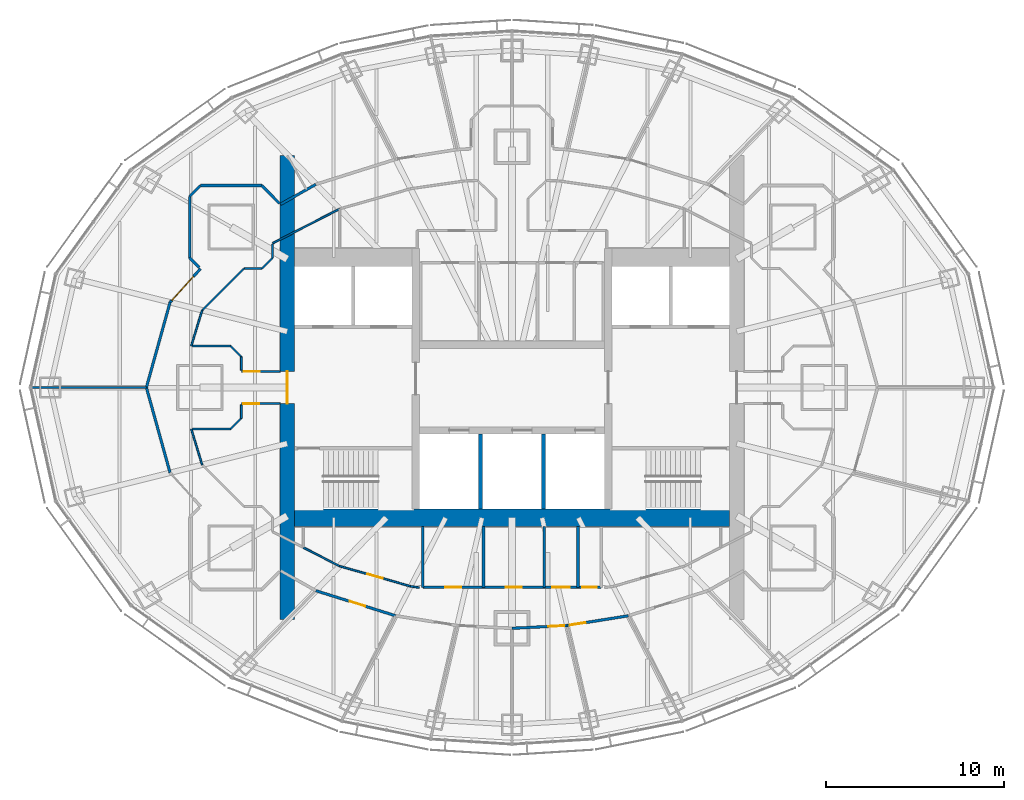
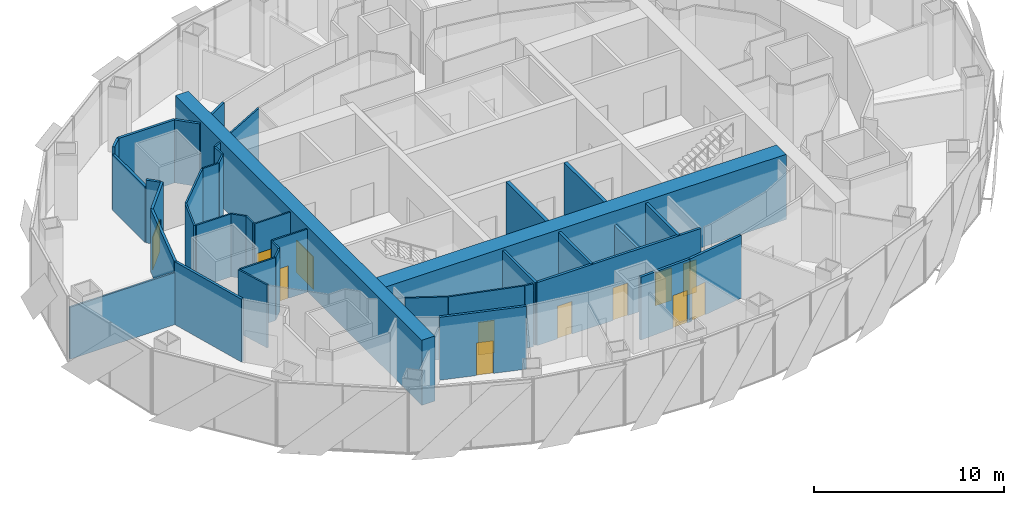
# One storey, part 12 of 18: 40 walls, 12 doors, 12 openings.
"""IFC4 building model written with IfcOpenShell, lengths in metres."""

from ifc_helpers import new_model, si_unit, direction, frame, frame_2d, origin, place, context, subcontext, project, spatial, rectangle, extrude, material, layer, layer_set, type_object, element, fill, save


model = new_model("IFC4")

# Units and contexts
model_context = context("Model", 3, precision=1e-05, world=origin(), true_north=direction((0.0, 1.0)))
body_context = subcontext(model_context, "Body", "Model", "MODEL_VIEW")
ifc_project = project(units=[si_unit("LENGTHUNIT", "METRE"), si_unit("AREAUNIT", "SQUARE_METRE"), si_unit("VOLUMEUNIT", "CUBIC_METRE"), si_unit("PLANEANGLEUNIT", "RADIAN"), si_unit("MASSUNIT", "GRAM", prefix="KILO")], contexts=[model_context])

# Site, building, storey
site_placement = place(None, origin())
site = spatial("IfcSite", under=ifc_project, at=site_placement, CompositionType="ELEMENT")
building_placement = place(site_placement, origin())
building = spatial("IfcBuilding", under=site, at=building_placement, Name="Lantaw Convention Tower", CompositionType="ELEMENT")
storey_placement = place(building_placement, frame((0.0, 0.0, 236.800048828125)))
storey = spatial("IfcBuildingStorey", under=building, at=storey_placement, Name="L55", CompositionType="ELEMENT", Elevation=236.800048828125)

# Wall
ifc_material_1 = material(Name="Concrete C60/75", Category="concrete")
ifc_layer_1 = layer(ifc_material_1, 1.0)
ifc_layer_set_1 = layer_set([ifc_layer_1], Name="Core wall 1000")
wall_type_1 = type_object("IfcWallType", Name="Core wall 1000", PredefinedType="SHEAR", material=ifc_layer_set_1)
wall_1_placement = place(storey_placement, frame((-12.199951171875, -7.300048828125, 0.0), z_axis=(0.0, 0.0, 1.0), x_axis=(1.0, 0.0, 0.0)))
element("IfcWall", 1, at=wall_1_placement, inside=storey, type_object=wall_type_1, Name="Core wall S", PredefinedType="SHEAR", context=body_context, shape_type="SweptSolid", body=[
    extrude(rectangle(XDim=24.39990234375, YDim=1.0, at=frame_2d((12.199951171875, 0.0))), origin(), (0.0, 0.0, 1.0), 4.199951171875),
])

# Wall, opening, door
ifc_layer_2 = layer(ifc_material_1, 0.800048828125)
ifc_layer_set_2 = layer_set([ifc_layer_2], Name="Core wall 800")
wall_type_2 = type_object("IfcWallType", Name="Core wall 800", PredefinedType="SHEAR", material=ifc_layer_set_2)
wall_2_placement = place(storey_placement, frame((-12.60009765625, 13.0, 0.0), z_axis=(0.0, 0.0, 1.0), x_axis=(0.0, -1.0, 0.0)))
wall_2 = element("IfcWall", 2, at=wall_2_placement, inside=storey, type_object=wall_type_2, Name="Core wall W", PredefinedType="SHEAR", context=body_context, shape_type="SweptSolid", body=[
    extrude(rectangle(XDim=26.0, YDim=0.800048828125, at=frame_2d((13.0, 0.0))), origin(), (0.0, 0.0, 1.0), 4.199951171875),
])
opening_1_placement = place(wall_2_placement, frame((12.10009765625, 0.0, 0.0)))
opening_1 = element("IfcOpeningElement", 3, at=opening_1_placement, cuts=wall_2, Name="Opening L55.06", PredefinedType="OPENING", context=body_context, shape_type="SweptSolid", body=[
    extrude(rectangle(XDim=1.800048828125, YDim=2.10009765625, at=frame_2d((0.89990234375, 1.050048828125))), frame((0.0, 0.409912109375, 0.0), z_axis=(0.0, -1.0, 0.0), x_axis=(1.0, 0.0, 0.0)), (0.0, 0.0, 1.0), 0.820068359375),
])
ifc_material_2 = material(Name="Steel, fire rated", Category="steel")
door_type_1 = type_object("IfcDoorType", Name="Lobby double door FD90", OperationType="DOUBLE_DOOR_DOUBLE_SWING", PredefinedType="DOOR", material=ifc_material_2)
door_1_placement = place(opening_1_placement, origin())
door_1 = element("IfcDoor", 4, at=door_1_placement, inside=storey, type_object=door_type_1, Name="Firefighting lobby door", OperationType="DOUBLE_DOOR_DOUBLE_SWING", OverallHeight=2.10009765625, OverallWidth=1.800048828125, PredefinedType="DOOR", context=body_context, shape_type="SweptSolid", body=[
    extrude(rectangle(XDim=1.800048828125, YDim=2.10009765625, at=frame_2d((0.89990234375, 1.050048828125))), frame((0.0, 0.02490234375, 0.0), z_axis=(0.0, -1.0, 0.0), x_axis=(1.0, 0.0, 0.0)), (0.0, 0.0, 1.0), 0.050048828125),
])
fill(opening_1, door_1)

# Walls
ifc_material_3 = material(Name="Gypsum board on steel studs, fire rated", Category="steel")
ifc_layer_3 = layer(ifc_material_3, 0.14990234375)
ifc_layer_set_3 = layer_set([ifc_layer_3], Name="Corridor wall 150 EI 60")
wall_type_3 = type_object("IfcWallType", Name="Corridor wall 150 EI 60", PredefinedType="PARTITIONING", material=ifc_layer_set_3)
for number, where, z_axis, x_axis, name in (
    (5, (-19.171875, 4.780029296875, 0.0), (0.0, 0.0, 1.0), (-0.26770731566, -0.963500281859, 0.0), "Corridor wall 150"),
    (6, (-20.5, 0.0, 0.0), (0.0, 0.0, 1.0), (0.26770731566, -0.963500281859, 0.0), "Corridor wall 150"),
):
    element("IfcWall", number, at=place(storey_placement, frame(where, z_axis=z_axis, x_axis=x_axis)), inside=storey, type_object=wall_type_3, Name=name, PredefinedType="PARTITIONING", context=body_context, shape_type="SweptSolid", body=[
        extrude(rectangle(XDim=4.961181640625, YDim=0.14990234375, at=frame_2d((2.48046875, 0.0))), origin(), (0.0, 0.0, 1.0), 4.050048828125),
    ])

# Wall, opening, door
wall_3_placement = place(storey_placement, frame((-11.000732421875, -11.3916015625, 0.0), z_axis=(0.0, 0.0, 1.0), x_axis=(0.954031103669, -0.299707612903, 0.0)))
wall_3 = element("IfcWall", 7, at=wall_3_placement, inside=storey, type_object=wall_type_3, Name="Corridor wall 150", PredefinedType="PARTITIONING", context=body_context, shape_type="SweptSolid", body=[
    extrude(rectangle(XDim=4.6953125, YDim=0.14990234375, at=frame_2d((2.34765625, 0.0))), origin(), (0.0, 0.0, 1.0), 4.050048828125),
])
opening_2_placement = place(wall_3_placement, frame((2.00048828125, 0.0, 0.0)))
opening_2 = element("IfcOpeningElement", 8, at=opening_2_placement, cuts=wall_3, Name="Opening L55.39", PredefinedType="OPENING", context=body_context, shape_type="SweptSolid", body=[
    extrude(rectangle(XDim=0.89990234375, YDim=2.10009765625, at=frame_2d((0.449951171875, 1.050048828125))), frame((0.0, 0.0849609375, 0.0), z_axis=(0.0, -1.0, 0.0), x_axis=(1.0, 0.0, 0.0)), (0.0, 0.0, 1.0), 0.169921875),
])
door_type_2 = type_object("IfcDoorType", Name="Office door 900 FD30", OperationType="SINGLE_SWING_LEFT", PredefinedType="DOOR", material=ifc_material_2)
door_2_placement = place(opening_2_placement, origin())
door_2 = element("IfcDoor", 9, at=door_2_placement, inside=storey, type_object=door_type_2, Name="Private office door", OperationType="SINGLE_SWING_LEFT", OverallHeight=2.10009765625, OverallWidth=0.89990234375, PredefinedType="DOOR", context=body_context, shape_type="SweptSolid", body=[
    extrude(rectangle(XDim=0.89990234375, YDim=2.10009765625, at=frame_2d((0.449951171875, 1.050048828125))), frame((0.0, 0.02490234375, 0.0), z_axis=(0.0, -1.0, 0.0), x_axis=(1.0, 0.0, 0.0)), (0.0, 0.0, 1.0), 0.050048828125),
])
fill(opening_2, door_2)

wall_4_placement = place(storey_placement, frame((0.0, -13.5, 0.0), z_axis=(0.0, 0.0, 1.0), x_axis=(0.99876434787, 0.049696855278, 0.0)))
wall_4 = element("IfcWall", 10, at=wall_4_placement, inside=storey, type_object=wall_type_3, Name="Corridor wall 150", PredefinedType="PARTITIONING", context=body_context, shape_type="SweptSolid", body=[
    extrude(rectangle(XDim=3.085205078125, YDim=0.14990234375, at=frame_2d((1.54248046875, 0.0))), origin(), (0.0, 0.0, 1.0), 4.050048828125),
])
opening_3_placement = place(wall_4_placement, frame((2.03515625, 0.0, 0.0)))
opening_3 = element("IfcOpeningElement", 11, at=opening_3_placement, cuts=wall_4, Name="Opening L55.42", PredefinedType="OPENING", context=body_context, shape_type="SweptSolid", body=[
    extrude(rectangle(XDim=0.89990234375, YDim=2.10009765625, at=frame_2d((0.449951171875, 1.050048828125))), frame((0.0, 0.0849609375, 0.0), z_axis=(0.0, -1.0, 0.0), x_axis=(1.0, 0.0, 0.0)), (0.0, 0.0, 1.0), 0.169921875),
])
door_3_placement = place(opening_3_placement, origin())
door_3 = element("IfcDoor", 12, at=door_3_placement, inside=storey, type_object=door_type_2, Name="Private office door", OperationType="SINGLE_SWING_LEFT", OverallHeight=2.10009765625, OverallWidth=0.89990234375, PredefinedType="DOOR", context=body_context, shape_type="SweptSolid", body=[
    extrude(rectangle(XDim=0.89990234375, YDim=2.10009765625, at=frame_2d((0.449951171875, 1.050048828125))), frame((0.0, 0.02490234375, 0.0), z_axis=(0.0, -1.0, 0.0), x_axis=(1.0, 0.0, 0.0)), (0.0, 0.0, 1.0), 0.050048828125),
])
fill(opening_3, door_3)

wall_5_placement = place(storey_placement, frame((3.081298828125, -13.3466796875, 0.0), z_axis=(0.0, 0.0, 1.0), x_axis=(0.987554093087, 0.157279729233, 0.0)))
wall_5 = element("IfcWall", 13, at=wall_5_placement, inside=storey, type_object=wall_type_3, Name="Corridor wall 150", PredefinedType="PARTITIONING", context=body_context, shape_type="SweptSolid", body=[
    extrude(rectangle(XDim=3.4833984375, YDim=0.14990234375, at=frame_2d((1.74169921875, 0.0))), origin(), (0.0, 0.0, 1.0), 4.050048828125),
])
opening_4_placement = place(wall_5_placement, frame((0.14990234375, 0.0, 0.0)))
opening_4 = element("IfcOpeningElement", 14, at=opening_4_placement, cuts=wall_5, Name="Opening L55.43", PredefinedType="OPENING", context=body_context, shape_type="SweptSolid", body=[
    extrude(rectangle(XDim=0.89990234375, YDim=2.10009765625, at=frame_2d((0.449951171875, 1.050048828125))), frame((0.0, 0.0849609375, 0.0), z_axis=(0.0, -1.0, 0.0), x_axis=(1.0, 0.0, 0.0)), (0.0, 0.0, 1.0), 0.169921875),
])
door_4_placement = place(opening_4_placement, origin())
door_4 = element("IfcDoor", 15, at=door_4_placement, inside=storey, type_object=door_type_2, Name="Private office door", OperationType="SINGLE_SWING_LEFT", OverallHeight=2.10009765625, OverallWidth=0.89990234375, PredefinedType="DOOR", context=body_context, shape_type="SweptSolid", body=[
    extrude(rectangle(XDim=0.89990234375, YDim=2.10009765625, at=frame_2d((0.449951171875, 1.050048828125))), frame((0.0, 0.02490234375, 0.0), z_axis=(0.0, -1.0, 0.0), x_axis=(1.0, 0.0, 0.0)), (0.0, 0.0, 1.0), 0.050048828125),
])
fill(opening_4, door_4)

# Wall
wall_6_placement = place(storey_placement, frame((-11.000732421875, 11.3916015625, 0.0), z_axis=(0.0, 0.0, 1.0), x_axis=(-0.869722107117, -0.493541747366, 0.0)))
element("IfcWall", 16, at=wall_6_placement, inside=storey, type_object=wall_type_3, Name="Corridor wall 150", PredefinedType="PARTITIONING", context=body_context, shape_type="SweptSolid", body=[
    extrude(rectangle(XDim=2.26953125, YDim=0.14990234375, at=frame_2d((1.134765625, 0.0))), origin(), (0.0, 0.0, 1.0), 4.050048828125),
])

# Wall, opening, door
wall_7_placement = place(storey_placement, frame((-17.462646484375, 6.6650390625, 0.0), z_axis=(0.0, 0.0, 1.0), x_axis=(-0.671721890643, -0.74080341632, 0.0)))
wall_7 = element("IfcWall", 17, at=wall_7_placement, inside=storey, type_object=wall_type_3, Name="Corridor wall 150", PredefinedType="PARTITIONING", context=body_context, shape_type="SweptSolid", body=[
    extrude(rectangle(XDim=2.54443359375, YDim=0.14990234375, at=frame_2d((1.272216796875, 0.0))), origin(), (0.0, 0.0, 1.0), 4.050048828125),
])
opening_5_placement = place(wall_7_placement, frame((0.60009765625, 0.0, 0.0)))
opening_5 = element("IfcOpeningElement", 18, at=opening_5_placement, cuts=wall_7, Name="Opening L55.37", PredefinedType="OPENING", context=body_context, shape_type="SweptSolid", body=[
    extrude(rectangle(XDim=1.800048828125, YDim=2.10009765625, at=frame_2d((0.89990234375, 1.050048828125))), frame((0.0, 0.0849609375, 0.0), z_axis=(0.0, -1.0, 0.0), x_axis=(1.0, 0.0, 0.0)), (0.0, 0.0, 1.0), 0.169921875),
])
door_type_3 = type_object("IfcDoorType", Name="Office double door 1800 FD30", OperationType="DOUBLE_DOOR_DOUBLE_SWING", PredefinedType="DOOR", material=ifc_material_2)
door_5_placement = place(opening_5_placement, origin())
door_5 = element("IfcDoor", 19, at=door_5_placement, inside=storey, type_object=door_type_3, Name="Open office door", OperationType="DOUBLE_DOOR_DOUBLE_SWING", OverallHeight=2.10009765625, OverallWidth=1.800048828125, PredefinedType="DOOR", context=body_context, shape_type="SweptSolid", body=[
    extrude(rectangle(XDim=1.800048828125, YDim=2.10009765625, at=frame_2d((0.89990234375, 1.050048828125))), frame((0.0, 0.02490234375, 0.0), z_axis=(0.0, -1.0, 0.0), x_axis=(1.0, 0.0, 0.0)), (0.0, 0.0, 1.0), 0.050048828125),
])
fill(opening_5, door_5)

# Walls
wall_8_placement = place(storey_placement, frame((-18.074951171875, 10.724609375, 0.0), z_axis=(0.0, 0.0, 1.0), x_axis=(0.707106781187, 0.707106781187, 0.0)))
element("IfcWall", 20, at=wall_8_placement, inside=storey, type_object=wall_type_3, Name="Corridor wall 150", PredefinedType="PARTITIONING", context=body_context, shape_type="SweptSolid", body=[
    extrude(rectangle(XDim=0.84912109375, YDim=0.14990234375, at=frame_2d((0.424560546875, 0.0))), origin(), (0.0, 0.0, 1.0), 4.050048828125),
])
wall_9_placement = place(storey_placement, frame((-17.474609375, 11.324951171875, 0.0), z_axis=(0.0, 0.0, 1.0), x_axis=(1.0, 0.0, 0.0)))
element("IfcWall", 21, at=wall_9_placement, inside=storey, type_object=wall_type_3, Name="Corridor wall 150", PredefinedType="PARTITIONING", context=body_context, shape_type="SweptSolid", body=[
    extrude(rectangle(XDim=3.44921875, YDim=0.14990234375, at=frame_2d((1.724609375, 0.0))), origin(), (0.0, 0.0, 1.0), 4.050048828125),
])
wall_10_placement = place(storey_placement, frame((-14.025390625, 11.324951171875, 0.0), z_axis=(0.0, 0.0, 1.0), x_axis=(0.701113567316, -0.713049623606, 0.0)))
element("IfcWall", 22, at=wall_10_placement, inside=storey, type_object=wall_type_3, Name="Corridor wall 150", PredefinedType="PARTITIONING", context=body_context, shape_type="SweptSolid", body=[
    extrude(rectangle(XDim=1.411376953125, YDim=0.14990234375, at=frame_2d((0.70556640625, 0.0))), origin(), (0.0, 0.0, 1.0), 4.050048828125),
])
wall_11_placement = place(storey_placement, frame((-17.537841796875, 6.73828125, 0.0), z_axis=(0.0, 0.0, 1.0), x_axis=(-0.707106781187, 0.707106781187, 0.0)))
element("IfcWall", 23, at=wall_11_placement, inside=storey, type_object=wall_type_3, Name="Corridor wall 150", PredefinedType="PARTITIONING", context=body_context, shape_type="SweptSolid", body=[
    extrude(rectangle(XDim=0.759521484375, YDim=0.14990234375, at=frame_2d((0.3798828125, 0.0))), origin(), (0.0, 0.0, 1.0), 4.050048828125),
])
wall_12_placement = place(storey_placement, frame((-18.074951171875, 7.275390625, 0.0), z_axis=(0.0, 0.0, 1.0), x_axis=(0.0, 1.0, 0.0)))
element("IfcWall", 24, at=wall_12_placement, inside=storey, type_object=wall_type_3, Name="Corridor wall 150", PredefinedType="PARTITIONING", context=body_context, shape_type="SweptSolid", body=[
    extrude(rectangle(XDim=3.44921875, YDim=0.14990234375, at=frame_2d((1.724609375, 0.0))), origin(), (0.0, 0.0, 1.0), 3.600341796875),
])
ifc_material_4 = material(Name="Gypsum board on steel studs, acoustic", Category="steel")
ifc_layer_4 = layer(ifc_material_4, 0.10009765625)
ifc_layer_set_4 = layer_set([ifc_layer_4], Name="Office partition 100")
wall_type_4 = type_object("IfcWallType", Name="Office partition 100", PredefinedType="PARTITIONING", material=ifc_layer_set_4)
wall_13_placement = place(storey_placement, frame((-26.944091796875, 0.0, 0.0), z_axis=(0.0, 0.0, 1.0), x_axis=(1.0, 0.0, 0.0)))
element("IfcWall", 25, at=wall_13_placement, inside=storey, type_object=wall_type_4, Name="Office partition 100", PredefinedType="PARTITIONING", context=body_context, shape_type="SweptSolid", body=[
    extrude(rectangle(XDim=6.444091796875, YDim=0.10009765625, at=frame_2d((3.22216796875, 0.0))), origin(), (0.0, 0.0, 1.0), 3.348876953125),
])
wall_14_placement = place(storey_placement, frame((-5.199951171875, -11.21630859375, 0.0), z_axis=(0.0, 0.0, 1.0), x_axis=(-0.989797891768, 0.142478536811, 0.0)))
element("IfcWall", 26, at=wall_14_placement, inside=storey, type_object=wall_type_4, Name="Office partition 100", PredefinedType="PARTITIONING", context=body_context, shape_type="SweptSolid", body=[
    extrude(rectangle(XDim=0.48486328125, YDim=0.10009765625, at=frame_2d((0.242431640625, 0.0))), origin(), (0.0, 0.0, 1.0), 4.050048828125),
])

# Wall, opening, door
wall_15_placement = place(storey_placement, frame((-5.679931640625, -11.147216796875, 0.0), z_axis=(0.0, 0.0, 1.0), x_axis=(-0.961973498971, 0.273142796496, 0.0)))
wall_15 = element("IfcWall", 27, at=wall_15_placement, inside=storey, type_object=wall_type_4, Name="Office partition 100", PredefinedType="PARTITIONING", context=body_context, shape_type="SweptSolid", body=[
    extrude(rectangle(XDim=4.148193359375, YDim=0.10009765625, at=frame_2d((2.07421875, 0.0))), origin(), (0.0, 0.0, 1.0), 4.050048828125),
])
opening_6_placement = place(wall_15_placement, frame((1.624267578125, 0.0, 0.0)))
opening_6 = element("IfcOpeningElement", 28, at=opening_6_placement, cuts=wall_15, Name="Opening L55.23", PredefinedType="OPENING", context=body_context, shape_type="SweptSolid", body=[
    extrude(rectangle(XDim=0.89990234375, YDim=2.10009765625, at=frame_2d((0.449951171875, 1.050048828125))), frame((0.0, 0.06005859375, 0.0), z_axis=(0.0, -1.0, 0.0), x_axis=(1.0, 0.0, 0.0)), (0.0, 0.0, 1.0), 0.1201171875),
])
ifc_material_5 = material(Name="Timber", Category="wood")
door_type_4 = type_object("IfcDoorType", Name="Office door 900", OperationType="SINGLE_SWING_LEFT", PredefinedType="DOOR", material=ifc_material_5)
door_6_placement = place(opening_6_placement, origin())
door_6 = element("IfcDoor", 29, at=door_6_placement, inside=storey, type_object=door_type_4, Name="Project room door", OperationType="SINGLE_SWING_LEFT", OverallHeight=2.10009765625, OverallWidth=0.89990234375, PredefinedType="DOOR", context=body_context, shape_type="SweptSolid", body=[
    extrude(rectangle(XDim=0.89990234375, YDim=2.10009765625, at=frame_2d((0.449951171875, 1.050048828125))), frame((0.0, 0.02490234375, 0.0), z_axis=(0.0, -1.0, 0.0), x_axis=(1.0, 0.0, 0.0)), (0.0, 0.0, 1.0), 0.050048828125),
])
fill(opening_6, door_6)

# Walls
wall_16_placement = place(storey_placement, frame((-9.67041015625, -10.01416015625, 0.0), z_axis=(0.0, 0.0, 1.0), x_axis=(-0.889605609385, 0.456729525814, 0.0)))
element("IfcWall", 30, at=wall_16_placement, inside=storey, type_object=wall_type_4, Name="Office partition 100", PredefinedType="PARTITIONING", context=body_context, shape_type="SweptSolid", body=[
    extrude(rectangle(XDim=2.292724609375, YDim=0.10009765625, at=frame_2d((1.146484375, 0.0))), origin(), (0.0, 0.0, 1.0), 4.050048828125),
])
wall_17_placement = place(storey_placement, frame((-17.37158203125, -4.331298828125, 0.0), z_axis=(0.0, 0.0, 1.0), x_axis=(-0.293231279211, 0.956041535129, 0.0)))
element("IfcWall", 31, at=wall_17_placement, inside=storey, type_object=wall_type_4, Name="Office partition 100", PredefinedType="PARTITIONING", context=body_context, shape_type="SweptSolid", body=[
    extrude(rectangle(XDim=2.088134765625, YDim=0.10009765625, at=frame_2d((1.0439453125, 0.0))), origin(), (0.0, 0.0, 1.0), 4.050048828125),
])

# Wall, opening, door
wall_18_placement = place(storey_placement, frame((-15.1650390625, -0.89990234375, 0.0), z_axis=(0.0, 0.0, 1.0), x_axis=(1.0, 0.0, 0.0)))
wall_18 = element("IfcWall", 32, at=wall_18_placement, inside=storey, type_object=wall_type_4, Name="Office partition 100", PredefinedType="PARTITIONING", context=body_context, shape_type="SweptSolid", body=[
    extrude(rectangle(XDim=2.1650390625, YDim=0.10009765625, at=frame_2d((1.08251953125, 0.0))), origin(), (0.0, 0.0, 1.0), 4.050048828125),
])
opening_7_placement = place(wall_18_placement, frame((0.10009765625, 0.0, 0.0)))
opening_7 = element("IfcOpeningElement", 33, at=opening_7_placement, cuts=wall_18, Name="Opening L55.22", PredefinedType="OPENING", context=body_context, shape_type="SweptSolid", body=[
    extrude(rectangle(XDim=0.89990234375, YDim=2.10009765625, at=frame_2d((0.449951171875, 1.050048828125))), frame((0.0, 0.06005859375, 0.0), z_axis=(0.0, -1.0, 0.0), x_axis=(1.0, 0.0, 0.0)), (0.0, 0.0, 1.0), 0.1201171875),
])
door_7_placement = place(opening_7_placement, origin())
door_7 = element("IfcDoor", 34, at=door_7_placement, inside=storey, type_object=door_type_4, Name="Meeting room door", OperationType="SINGLE_SWING_LEFT", OverallHeight=2.10009765625, OverallWidth=0.89990234375, PredefinedType="DOOR", context=body_context, shape_type="SweptSolid", body=[
    extrude(rectangle(XDim=0.89990234375, YDim=2.10009765625, at=frame_2d((0.449951171875, 1.050048828125))), frame((0.0, 0.02490234375, 0.0), z_axis=(0.0, -1.0, 0.0), x_axis=(1.0, 0.0, 0.0)), (0.0, 0.0, 1.0), 0.050048828125),
])
fill(opening_7, door_7)

wall_19_placement = place(storey_placement, frame((-13.0, 0.89990234375, 0.0), z_axis=(0.0, 0.0, 1.0), x_axis=(-1.0, 0.0, 0.0)))
wall_19 = element("IfcWall", 35, at=wall_19_placement, inside=storey, type_object=wall_type_4, Name="Office partition 100", PredefinedType="PARTITIONING", context=body_context, shape_type="SweptSolid", body=[
    extrude(rectangle(XDim=2.1650390625, YDim=0.10009765625, at=frame_2d((1.08251953125, 0.0))), origin(), (0.0, 0.0, 1.0), 4.050048828125),
])
opening_8_placement = place(wall_19_placement, frame((1.14990234375, 0.0, 0.0)))
opening_8 = element("IfcOpeningElement", 36, at=opening_8_placement, cuts=wall_19, Name="Opening L55.28", PredefinedType="OPENING", context=body_context, shape_type="SweptSolid", body=[
    extrude(rectangle(XDim=0.89990234375, YDim=2.10009765625, at=frame_2d((0.449951171875, 1.050048828125))), frame((0.0, 0.06005859375, 0.0), z_axis=(0.0, -1.0, 0.0), x_axis=(1.0, 0.0, 0.0)), (0.0, 0.0, 1.0), 0.1201171875),
])
door_8_placement = place(opening_8_placement, origin())
door_8 = element("IfcDoor", 37, at=door_8_placement, inside=storey, type_object=door_type_4, Name="Meeting room door", OperationType="SINGLE_SWING_LEFT", OverallHeight=2.10009765625, OverallWidth=0.89990234375, PredefinedType="DOOR", context=body_context, shape_type="SweptSolid", body=[
    extrude(rectangle(XDim=0.89990234375, YDim=2.10009765625, at=frame_2d((0.449951171875, 1.050048828125))), frame((0.0, 0.02490234375, 0.0), z_axis=(0.0, -1.0, 0.0), x_axis=(1.0, 0.0, 0.0)), (0.0, 0.0, 1.0), 0.050048828125),
])
fill(opening_8, door_8)

# Walls
wall_20_placement = place(storey_placement, frame((-17.98388671875, 2.3349609375, 0.0), z_axis=(0.0, 0.0, 1.0), x_axis=(0.293231279211, 0.956041535129, 0.0)))
element("IfcWall", 38, at=wall_20_placement, inside=storey, type_object=wall_type_4, Name="Office partition 100", PredefinedType="PARTITIONING", context=body_context, shape_type="SweptSolid", body=[
    extrude(rectangle(XDim=2.088134765625, YDim=0.10009765625, at=frame_2d((1.0439453125, 0.0))), origin(), (0.0, 0.0, 1.0), 4.050048828125),
])
wall_21_placement = place(storey_placement, frame((-15.175048828125, -0.978271484375, 0.0), z_axis=(0.0, 0.0, 1.0), x_axis=(0.0, -1.0, 0.0)))
element("IfcWall", 39, at=wall_21_placement, inside=storey, type_object=wall_type_4, Name="Office partition 100", PredefinedType="PARTITIONING", context=body_context, shape_type="SweptSolid", body=[
    extrude(rectangle(XDim=0.746337890625, YDim=0.10009765625, at=frame_2d((0.373046875, 0.0))), origin(), (0.0, 0.0, 1.0), 4.050048828125),
])
wall_22_placement = place(storey_placement, frame((-15.175048828125, -1.724609375, 0.0), z_axis=(0.0, 0.0, 1.0), x_axis=(-0.707106781187, -0.707106781187, 0.0)))
element("IfcWall", 40, at=wall_22_placement, inside=storey, type_object=wall_type_4, Name="Office partition 100", PredefinedType="PARTITIONING", context=body_context, shape_type="SweptSolid", body=[
    extrude(rectangle(XDim=0.84912109375, YDim=0.10009765625, at=frame_2d((0.424560546875, 0.0))), origin(), (0.0, 0.0, 1.0), 4.050048828125),
])
for number, where, z_axis, x_axis, name in (
    (41, (-15.775390625, -2.324951171875, 0.0), (0.0, 0.0, 1.0), (-1.0, 0.0, 0.0), "Office partition 100"),
    (42, (-17.903076171875, 2.324951171875, 0.0), (0.0, 0.0, 1.0), (1.0, 0.0, 0.0), "Office partition 100"),
):
    element("IfcWall", number, at=place(storey_placement, frame(where, z_axis=z_axis, x_axis=x_axis)), inside=storey, type_object=wall_type_4, Name=name, PredefinedType="PARTITIONING", context=body_context, shape_type="SweptSolid", body=[
        extrude(rectangle(XDim=2.127685546875, YDim=0.10009765625, at=frame_2d((1.06396484375, 0.0))), origin(), (0.0, 0.0, 1.0), 4.050048828125),
    ])
wall_23_placement = place(storey_placement, frame((-15.775390625, 2.324951171875, 0.0), z_axis=(0.0, 0.0, 1.0), x_axis=(0.707106781187, -0.707106781187, 0.0)))
element("IfcWall", 43, at=wall_23_placement, inside=storey, type_object=wall_type_4, Name="Office partition 100", PredefinedType="PARTITIONING", context=body_context, shape_type="SweptSolid", body=[
    extrude(rectangle(XDim=0.84912109375, YDim=0.10009765625, at=frame_2d((0.424560546875, 0.0))), origin(), (0.0, 0.0, 1.0), 4.050048828125),
])
wall_24_placement = place(storey_placement, frame((-15.175048828125, 1.724609375, 0.0), z_axis=(0.0, 0.0, 1.0), x_axis=(0.0, -1.0, 0.0)))
element("IfcWall", 44, at=wall_24_placement, inside=storey, type_object=wall_type_4, Name="Office partition 100", PredefinedType="PARTITIONING", context=body_context, shape_type="SweptSolid", body=[
    extrude(rectangle(XDim=0.746337890625, YDim=0.10009765625, at=frame_2d((0.373046875, 0.0))), origin(), (0.0, 0.0, 1.0), 4.050048828125),
])
wall_25_placement = place(storey_placement, frame((-17.37158203125, 4.331298828125, 0.0), z_axis=(0.0, 0.0, 1.0), x_axis=(0.707587114823, 0.70662612104, 0.0)))
element("IfcWall", 45, at=wall_25_placement, inside=storey, type_object=wall_type_4, Name="Office partition 100", PredefinedType="PARTITIONING", context=body_context, shape_type="SweptSolid", body=[
    extrude(rectangle(XDim=3.302734375, YDim=0.10009765625, at=frame_2d((1.6513671875, 0.0))), origin(), (0.0, 0.0, 1.0), 4.050048828125),
])
wall_26_placement = place(storey_placement, frame((-13.4150390625, 8.091552734375, 0.0), z_axis=(0.0, 0.0, 1.0), x_axis=(0.889833724874, 0.456284935185, 0.0)))
element("IfcWall", 46, at=wall_26_placement, inside=storey, type_object=wall_type_4, Name="Office partition 100", PredefinedType="PARTITIONING", context=body_context, shape_type="SweptSolid", body=[
    extrude(rectangle(XDim=4.219970703125, YDim=0.10009765625, at=frame_2d((2.10986328125, 0.0))), origin(), (0.0, 0.0, 1.0), 4.050048828125),
])
wall_27_placement = place(storey_placement, frame((-13.425048828125, 8.04541015625, 0.0), z_axis=(0.0, 0.0, 1.0), x_axis=(0.0, -1.0, 0.0)))
element("IfcWall", 47, at=wall_27_placement, inside=storey, type_object=wall_type_4, Name="Office partition 100", PredefinedType="PARTITIONING", context=body_context, shape_type="SweptSolid", body=[
    extrude(rectangle(XDim=0.77001953125, YDim=0.10009765625, at=frame_2d((0.385009765625, 0.0))), origin(), (0.0, 0.0, 1.0), 4.050048828125),
])
wall_28_placement = place(storey_placement, frame((-13.425048828125, 7.275390625, 0.0), z_axis=(0.0, 0.0, 1.0), x_axis=(-0.707106781187, -0.707106781187, 0.0)))
element("IfcWall", 48, at=wall_28_placement, inside=storey, type_object=wall_type_4, Name="Office partition 100", PredefinedType="PARTITIONING", context=body_context, shape_type="SweptSolid", body=[
    extrude(rectangle(XDim=0.84912109375, YDim=0.10009765625, at=frame_2d((0.424560546875, 0.0))), origin(), (0.0, 0.0, 1.0), 4.050048828125),
])
wall_29_placement = place(storey_placement, frame((-14.025390625, 6.675048828125, 0.0), z_axis=(0.0, 0.0, 1.0), x_axis=(-1.0, 0.0, 0.0)))
element("IfcWall", 49, at=wall_29_placement, inside=storey, type_object=wall_type_4, Name="Office partition 100", PredefinedType="PARTITIONING", context=body_context, shape_type="SweptSolid", body=[
    extrude(rectangle(XDim=0.976806640625, YDim=0.10009765625, at=frame_2d((0.48828125, 0.0))), origin(), (0.0, 0.0, 1.0), 4.050048828125),
])
ifc_material_6 = material(Name="Concrete blockwork, fire rated", Category="masonry")
ifc_layer_5 = layer(ifc_material_6, 0.199951171875)
ifc_layer_set_5 = layer_set([ifc_layer_5], Name="Shaft wall 200 load-bearing")
wall_type_5 = type_object("IfcWallType", Name="Shaft wall 200 load-bearing", PredefinedType="SOLIDWALL", material=ifc_layer_set_5)
for number, where, z_axis, x_axis, name in (
    (50, (-1.7666015625, -2.60009765625, 0.0), (0.0, 0.0, 1.0), (0.0, -1.0, 0.0), "Shaft wall DS1"),
    (51, (1.7666015625, -2.60009765625, 0.0), (0.0, 0.0, 1.0), (0.0, -1.0, 0.0), "Shaft wall DS2"),
):
    element("IfcWall", number, at=place(storey_placement, frame(where, z_axis=z_axis, x_axis=x_axis)), inside=storey, type_object=wall_type_5, Name=name, PredefinedType="SOLIDWALL", context=body_context, shape_type="SweptSolid", body=[
        extrude(rectangle(XDim=4.199951171875, YDim=0.199951171875, at=frame_2d((2.10009765625, 0.0))), origin(), (0.0, 0.0, 1.0), 4.199951171875),
    ])

# Wall, openings, doors
ifc_material_7 = material(Name="Concrete blockwork", Category="masonry")
ifc_layer_6 = layer(ifc_material_7, 0.14990234375)
ifc_layer_set_6 = layer_set([ifc_layer_6], Name="WC wall 150")
wall_type_6 = type_object("IfcWallType", Name="WC wall 150", PredefinedType="SOLIDWALL", material=ifc_layer_set_6)
wall_30_placement = place(storey_placement, frame((-5.0, -11.199951171875, 0.0), z_axis=(0.0, 0.0, 1.0), x_axis=(1.0, 0.0, 0.0)))
wall_30 = element("IfcWall", 52, at=wall_30_placement, inside=storey, type_object=wall_type_6, Name="WC wall 150", PredefinedType="SOLIDWALL", context=body_context, shape_type="SweptSolid", body=[
    extrude(rectangle(XDim=10.0, YDim=0.14990234375, at=frame_2d((5.0, 0.0))), origin(), (0.0, 0.0, 1.0), 4.050048828125),
])
opening_9_placement = place(wall_30_placement, frame((1.25, 0.0, 0.0)))
opening_9 = element("IfcOpeningElement", 53, at=opening_9_placement, cuts=wall_30, Name="Opening L55.18", PredefinedType="OPENING", context=body_context, shape_type="SweptSolid", body=[
    extrude(rectangle(XDim=0.89990234375, YDim=2.10009765625, at=frame_2d((0.449951171875, 1.050048828125))), frame((0.0, 0.0849609375, 0.0), z_axis=(0.0, -1.0, 0.0), x_axis=(1.0, 0.0, 0.0)), (0.0, 0.0, 1.0), 0.169921875),
])
opening_10_placement = place(wall_30_placement, frame((4.64990234375, 0.0, 0.0)))
opening_10 = element("IfcOpeningElement", 54, at=opening_10_placement, cuts=wall_30, Name="Opening L55.19", PredefinedType="OPENING", context=body_context, shape_type="SweptSolid", body=[
    extrude(rectangle(XDim=0.89990234375, YDim=2.10009765625, at=frame_2d((0.449951171875, 1.050048828125))), frame((0.0, 0.0849609375, 0.0), z_axis=(0.0, -1.0, 0.0), x_axis=(1.0, 0.0, 0.0)), (0.0, 0.0, 1.0), 0.169921875),
])
opening_11_placement = place(wall_30_placement, frame((7.25, 0.0, 0.0)))
opening_11 = element("IfcOpeningElement", 55, at=opening_11_placement, cuts=wall_30, Name="Opening L55.20", PredefinedType="OPENING", context=body_context, shape_type="SweptSolid", body=[
    extrude(rectangle(XDim=1.0, YDim=2.10009765625, at=frame_2d((0.5, 1.050048828125))), frame((0.0, 0.0849609375, 0.0), z_axis=(0.0, -1.0, 0.0), x_axis=(1.0, 0.0, 0.0)), (0.0, 0.0, 1.0), 0.169921875),
])
opening_12_placement = place(wall_30_placement, frame((8.949951171875, 0.0, 0.0)))
opening_12 = element("IfcOpeningElement", 56, at=opening_12_placement, cuts=wall_30, Name="Opening L55.21", PredefinedType="OPENING", context=body_context, shape_type="SweptSolid", body=[
    extrude(rectangle(XDim=0.800048828125, YDim=2.10009765625, at=frame_2d((0.39990234375, 1.050048828125))), frame((0.0, 0.0849609375, 0.0), z_axis=(0.0, -1.0, 0.0), x_axis=(1.0, 0.0, 0.0)), (0.0, 0.0, 1.0), 0.169921875),
])
door_type_5 = type_object("IfcDoorType", Name="Accessible WC door 1000", OperationType="SINGLE_SWING_LEFT", PredefinedType="DOOR", material=ifc_material_5)
door_9_placement = place(opening_11_placement, origin())
door_9 = element("IfcDoor", 57, at=door_9_placement, inside=storey, type_object=door_type_5, Name="Accessible WC door", OperationType="SINGLE_SWING_LEFT", OverallHeight=2.10009765625, OverallWidth=1.0, PredefinedType="DOOR", context=body_context, shape_type="SweptSolid", body=[
    extrude(rectangle(XDim=1.0, YDim=2.10009765625, at=frame_2d((0.5, 1.050048828125))), frame((0.0, 0.02490234375, 0.0), z_axis=(0.0, -1.0, 0.0), x_axis=(1.0, 0.0, 0.0)), (0.0, 0.0, 1.0), 0.050048828125),
])
fill(opening_11, door_9)
door_type_6 = type_object("IfcDoorType", Name="WC door 800", OperationType="SINGLE_SWING_LEFT", PredefinedType="DOOR", material=ifc_material_5)
door_10_placement = place(opening_12_placement, origin())
door_10 = element("IfcDoor", 58, at=door_10_placement, inside=storey, type_object=door_type_6, Name="Pantry door", OperationType="SINGLE_SWING_LEFT", OverallHeight=2.10009765625, OverallWidth=0.800048828125, PredefinedType="DOOR", context=body_context, shape_type="SweptSolid", body=[
    extrude(rectangle(XDim=0.800048828125, YDim=2.10009765625, at=frame_2d((0.39990234375, 1.050048828125))), frame((0.0, 0.02490234375, 0.0), z_axis=(0.0, -1.0, 0.0), x_axis=(1.0, 0.0, 0.0)), (0.0, 0.0, 1.0), 0.050048828125),
])
fill(opening_12, door_10)
door_type_7 = type_object("IfcDoorType", Name="WC door 900", OperationType="SINGLE_SWING_LEFT", PredefinedType="DOOR", material=ifc_material_5)
door_11_placement = place(opening_9_placement, origin())
door_11 = element("IfcDoor", 59, at=door_11_placement, inside=storey, type_object=door_type_7, Name="Female WC door", OperationType="SINGLE_SWING_LEFT", OverallHeight=2.10009765625, OverallWidth=0.89990234375, PredefinedType="DOOR", context=body_context, shape_type="SweptSolid", body=[
    extrude(rectangle(XDim=0.89990234375, YDim=2.10009765625, at=frame_2d((0.449951171875, 1.050048828125))), frame((0.0, 0.02490234375, 0.0), z_axis=(0.0, -1.0, 0.0), x_axis=(1.0, 0.0, 0.0)), (0.0, 0.0, 1.0), 0.050048828125),
])
fill(opening_9, door_11)
door_12_placement = place(opening_10_placement, origin())
door_12 = element("IfcDoor", 60, at=door_12_placement, inside=storey, type_object=door_type_7, Name="Male WC door", OperationType="SINGLE_SWING_LEFT", OverallHeight=2.10009765625, OverallWidth=0.89990234375, PredefinedType="DOOR", context=body_context, shape_type="SweptSolid", body=[
    extrude(rectangle(XDim=0.89990234375, YDim=2.10009765625, at=frame_2d((0.449951171875, 1.050048828125))), frame((0.0, 0.02490234375, 0.0), z_axis=(0.0, -1.0, 0.0), x_axis=(1.0, 0.0, 0.0)), (0.0, 0.0, 1.0), 0.050048828125),
])
fill(opening_10, door_12)

# Walls
for number, where, z_axis, x_axis, name in (
    (61, (-5.0, -7.800048828125, 0.0), (0.0, 0.0, 1.0), (0.0, -1.0, 0.0), "WC wall 150"),
    (62, (-1.60009765625, -7.800048828125, 0.0), (0.0, 0.0, 1.0), (0.0, -1.0, 0.0), "WC wall 150"),
):
    element("IfcWall", number, at=place(storey_placement, frame(where, z_axis=z_axis, x_axis=x_axis)), inside=storey, type_object=wall_type_6, Name=name, PredefinedType="SOLIDWALL", context=body_context, shape_type="SweptSolid", body=[
        extrude(rectangle(XDim=3.39990234375, YDim=0.14990234375, at=frame_2d((1.699951171875, 0.0))), origin(), (0.0, 0.0, 1.0), 4.050048828125),
    ])
wall_31_placement = place(storey_placement, frame((1.800048828125, -7.800048828125, 0.0), z_axis=(0.0, 0.0, 1.0), x_axis=(0.0, -1.0, 0.0)))
element("IfcWall", 63, at=wall_31_placement, inside=storey, type_object=wall_type_6, Name="WC wall 150", PredefinedType="SOLIDWALL", context=body_context, shape_type="SweptSolid", body=[
    extrude(rectangle(XDim=3.39990234375, YDim=0.14990234375, at=frame_2d((1.699951171875, 0.0))), origin(), (0.0, 0.0, 1.0), 3.29296875),
])
wall_32_placement = place(storey_placement, frame((3.699951171875, -7.800048828125, 0.0), z_axis=(0.0, 0.0, 1.0), x_axis=(0.0, -1.0, 0.0)))
element("IfcWall", 64, at=wall_32_placement, inside=storey, type_object=wall_type_6, Name="WC wall 150", PredefinedType="SOLIDWALL", context=body_context, shape_type="SweptSolid", body=[
    extrude(rectangle(XDim=3.39990234375, YDim=0.14990234375, at=frame_2d((1.699951171875, 0.0))), origin(), (0.0, 0.0, 1.0), 4.050048828125),
])

save(model, "model.ifc")
